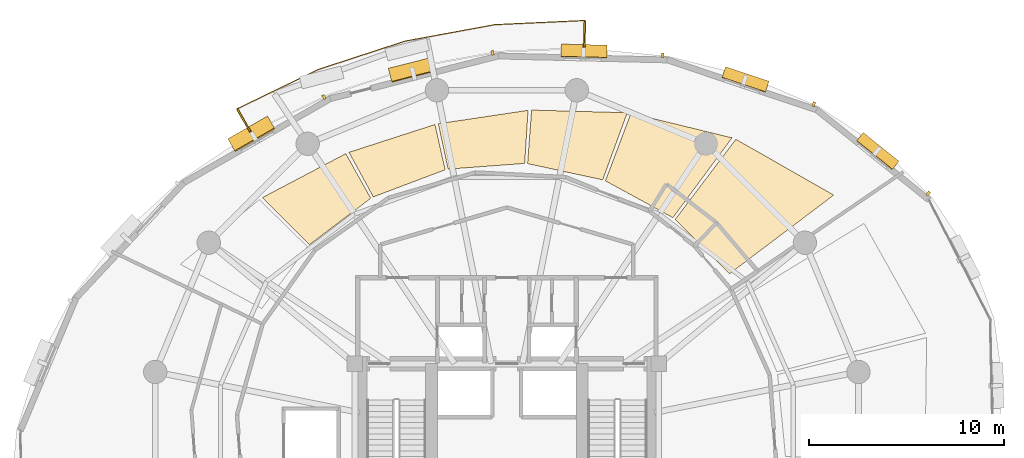
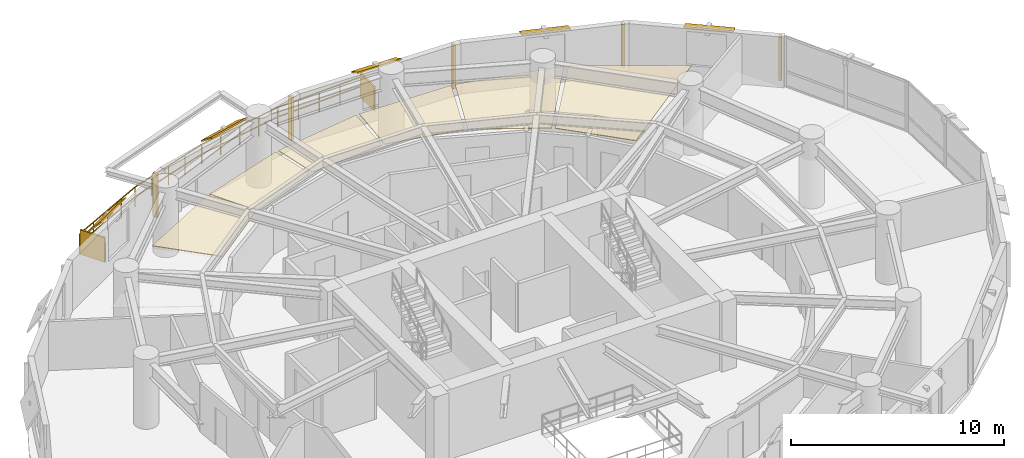
# One storey, part 15 of 15: 12 shading devices, 6 coverings, 1 railing.
"""IFC4 building model written with IfcOpenShell, lengths in metres."""

from ifc_helpers import new_model, si_unit, direction, frame, origin, origin_2d, place, context, subcontext, project, spatial, polyline, rectangle, outline, extrude, material, layer, layer_set, type_object, element, save


model = new_model("IFC4")

# Units and contexts
model_context = context("Model", 3, precision=1e-05, world=origin(), true_north=direction((0.0, 1.0)))
body_context = subcontext(model_context, "Body", "Model", "MODEL_VIEW")
ifc_project = project(units=[si_unit("LENGTHUNIT", "METRE"), si_unit("AREAUNIT", "SQUARE_METRE"), si_unit("VOLUMEUNIT", "CUBIC_METRE"), si_unit("PLANEANGLEUNIT", "RADIAN"), si_unit("MASSUNIT", "GRAM", prefix="KILO"), si_unit("THERMODYNAMICTEMPERATUREUNIT", "KELVIN"), si_unit("POWERUNIT", "WATT")], contexts=[model_context])

# Site, building, storey
site_placement = place(None, origin())
site = spatial("IfcSite", under=ifc_project, at=site_placement, CompositionType="ELEMENT")
building_placement = place(site_placement, origin())
building = spatial("IfcBuilding", under=site, at=building_placement, Name="Ocrelia Relay Tower", CompositionType="ELEMENT")
storey_placement = place(building_placement, frame((0.0, 0.0, 93.800048828125)))
storey = spatial("IfcBuildingStorey", under=building, at=storey_placement, Name="L21", CompositionType="ELEMENT", Elevation=93.800048828125)

# Coverings
ifc_material_1 = material(Name="Cleanroom metal-pan acoustic ceiling", Category="aluminium")
ifc_layer_1 = layer(ifc_material_1, 0.0400390625, Name="Cleanroom metal-pan acoustic ceiling")
ifc_layer_set_1 = layer_set([ifc_layer_1], Name="Cleanroom metal-pan acoustic ceiling")
covering_type = type_object("IfcCoveringType", Name="COV-CEIL-CLEAN", PredefinedType="CEILING", material=ifc_layer_set_1)
covering_1_placement = place(storey_placement, frame((0.0, 0.0, 2.719970703125)))
element("IfcCovering", 1, at=covering_1_placement, inside=storey, type_object=covering_type, Name="L21 Optical Switching Hall A Suspended Ceiling 1", PredefinedType="CEILING", context=body_context, shape_type="SweptSolid", body=[
    extrude(outline(polyline([(45.428955078125, 34.6279296875), (50.778076171875, 38.666015625), (45.75537109375, 41.53125), (42.64208984375, 37.418212890625), (45.428955078125, 34.6279296875)])), origin(), (0.0, 0.0, 1.0), 0.0400390625),
])
covering_2_placement = place(storey_placement, frame((0.0, 0.0, 2.719970703125)))
element("IfcCovering", 2, at=covering_2_placement, inside=storey, type_object=covering_type, Name="L21 Optical Switching Hall A Suspended Ceiling 2", PredefinedType="CEILING", context=body_context, shape_type="SweptSolid", body=[
    extrude(outline(polyline([(42.522216796875, 37.508056640625), (45.55712890625, 41.6064453125), (40.372314453125, 42.8701171875), (39.06005859375, 39.396240234375), (42.522216796875, 37.508056640625)])), origin(), (0.0, 0.0, 1.0), 0.0400390625),
])
covering_3_placement = place(storey_placement, frame((0.0, 0.0, 2.719970703125)))
element("IfcCovering", 3, at=covering_3_placement, inside=storey, type_object=covering_type, Name="L21 Optical Switching Hall A Suspended Ceiling 3", PredefinedType="CEILING", context=body_context, shape_type="SweptSolid", body=[
    extrude(outline(polyline([(38.91943359375, 39.448486328125), (40.179931640625, 42.89404296875), (35.27001953125, 43.03076171875), (35.064697265625, 40.280517578125), (38.91943359375, 39.448486328125)])), origin(), (0.0, 0.0, 1.0), 0.0400390625),
])
covering_4_placement = place(storey_placement, frame((0.0, 0.0, 2.719970703125)))
element("IfcCovering", 4, at=covering_4_placement, inside=storey, type_object=covering_type, Name="L21 Optical Switching Hall A Suspended Ceiling 4", PredefinedType="CEILING", context=body_context, shape_type="SweptSolid", body=[
    extrude(outline(polyline([(34.915283203125, 40.290771484375), (35.08984375, 43.01904296875), (30.47998046875, 42.32958984375), (30.982666015625, 39.99853515625), (34.915283203125, 40.290771484375)])), origin(), (0.0, 0.0, 1.0), 0.0400390625),
])
covering_5_placement = place(storey_placement, frame((0.0, 0.0, 2.719970703125)))
element("IfcCovering", 5, at=covering_5_placement, inside=storey, type_object=covering_type, Name="L21 Optical Switching Hall A Suspended Ceiling 5", PredefinedType="CEILING", context=body_context, shape_type="SweptSolid", body=[
    extrude(outline(polyline([(30.836181640625, 39.966064453125), (30.309814453125, 42.289794921875), (25.89892578125, 40.862548828125), (27.146728515625, 38.573486328125), (30.836181640625, 39.966064453125)])), origin(), (0.0, 0.0, 1.0), 0.0400390625),
])
covering_6_placement = place(storey_placement, frame((0.0, 0.0, 2.719970703125)))
element("IfcCovering", 6, at=covering_6_placement, inside=storey, type_object=covering_type, Name="L21 Optical Switching Hall A Suspended Ceiling 6", PredefinedType="CEILING", context=body_context, shape_type="SweptSolid", body=[
    extrude(outline(polyline([(27.015380859375, 38.501220703125), (25.734375, 40.7939453125), (21.452392578125, 38.5380859375), (23.870361328125, 36.1220703125), (27.015380859375, 38.501220703125)])), origin(), (0.0, 0.0, 1.0), 0.0400390625),
])

# Railing
ifc_material_2 = material(Name="Steel S355 balustrade", Category="steel")
railing_type = type_object("IfcRailingType", Name="RL-EXT-GUARD-1150", PredefinedType="GUARDRAIL", material=ifc_material_2)
railing_placement = place(storey_placement, frame((20.8525390625, 41.887451171875, 0.0)))
element("IfcRailing", 7, at=railing_placement, inside=storey, type_object=railing_type, Name="L21 Loggia Balcony Guard Rail B1", PredefinedType="GUARDRAIL", context=body_context, shape_type="SweptSolid", body=[
    extrude(rectangle(XDim=0.048095703125, YDim=0.048095703125, at=origin_2d()), frame((0.0, 0.0, 1.1259765625), z_axis=(-0.498665339206, 0.866794600511, 0.0), x_axis=(-0.866794600511, -0.498665339206, 0.0)), (0.0, 0.0, 1.0), 1.393310546875),
    extrude(rectangle(XDim=0.048095703125, YDim=0.048095703125, at=origin_2d()), frame((0.0, 0.0, 0.574951171875), z_axis=(-0.498665339206, 0.866794600511, 0.0), x_axis=(-0.866794600511, -0.498665339206, 0.0)), (0.0, 0.0, 1.0), 1.393310546875),
    extrude(rectangle(XDim=0.048095703125, YDim=0.048095703125, at=origin_2d()), frame((-0.69482421875, 1.207763671875, 1.1259765625), z_axis=(0.899780243906, 0.436343342651, 0.0), x_axis=(-0.436343342651, 0.899780243906, 0.0)), (0.0, 0.0, 1.0), 2.31591796875),
    extrude(rectangle(XDim=0.048095703125, YDim=0.048095703125, at=origin_2d()), frame((-0.69482421875, 1.207763671875, 0.574951171875), z_axis=(0.899780243906, 0.436343342651, 0.0), x_axis=(-0.436343342651, 0.899780243906, 0.0)), (0.0, 0.0, 1.0), 2.31591796875),
    extrude(rectangle(XDim=0.048095703125, YDim=0.048095703125, at=origin_2d()), frame((1.388916015625, 2.21826171875, 1.1259765625), z_axis=(0.899780243906, 0.436343342651, 0.0), x_axis=(-0.436343342651, 0.899780243906, 0.0)), (0.0, 0.0, 1.0), 2.31591796875),
    extrude(rectangle(XDim=0.048095703125, YDim=0.048095703125, at=origin_2d()), frame((1.388916015625, 2.21826171875, 0.574951171875), z_axis=(0.899780243906, 0.436343342651, 0.0), x_axis=(-0.436343342651, 0.899780243906, 0.0)), (0.0, 0.0, 1.0), 2.31591796875),
    extrude(rectangle(XDim=0.048095703125, YDim=0.048095703125, at=origin_2d()), frame((3.47265625, 3.228759765625, 1.1259765625), z_axis=(0.950553948728, 0.310559479903, 0.0), x_axis=(-0.310559479903, 0.950553948728, 0.0)), (0.0, 0.0, 1.0), 4.68212890625),
    extrude(rectangle(XDim=0.048095703125, YDim=0.048095703125, at=origin_2d()), frame((3.47265625, 3.228759765625, 0.574951171875), z_axis=(0.950553948728, 0.310559479903, 0.0), x_axis=(-0.310559479903, 0.950553948728, 0.0)), (0.0, 0.0, 1.0), 4.68212890625),
    extrude(rectangle(XDim=0.048095703125, YDim=0.048095703125, at=origin_2d()), frame((7.92333984375, 4.682861328125, 1.1259765625), z_axis=(0.983551325774, 0.180628872467, 0.0), x_axis=(-0.180628872467, 0.983551325774, 0.0)), (0.0, 0.0, 1.0), 4.681884765625),
    extrude(rectangle(XDim=0.048095703125, YDim=0.048095703125, at=origin_2d()), frame((7.92333984375, 4.682861328125, 0.574951171875), z_axis=(0.983551325774, 0.180628872467, 0.0), x_axis=(-0.180628872467, 0.983551325774, 0.0)), (0.0, 0.0, 1.0), 4.681884765625),
    extrude(rectangle(XDim=0.048095703125, YDim=0.048095703125, at=origin_2d()), frame((12.5283203125, 5.528564453125, 1.1259765625), z_axis=(0.99894295004, 0.045967190102, 0.0), x_axis=(-0.045967190102, 0.99894295004, 0.0)), (0.0, 0.0, 1.0), 2.315673828125),
    extrude(rectangle(XDim=0.048095703125, YDim=0.048095703125, at=origin_2d()), frame((12.5283203125, 5.528564453125, 0.574951171875), z_axis=(0.99894295004, 0.045967190102, 0.0), x_axis=(-0.045967190102, 0.99894295004, 0.0)), (0.0, 0.0, 1.0), 2.315673828125),
    extrude(rectangle(XDim=0.048095703125, YDim=0.048095703125, at=origin_2d()), frame((14.841552734375, 5.635009765625, 1.1259765625), z_axis=(0.998948007408, 0.045857153147, 0.0), x_axis=(-0.045857153147, 0.998948007408, 0.0)), (0.0, 0.0, 1.0), 2.31591796875),
    extrude(rectangle(XDim=0.048095703125, YDim=0.048095703125, at=origin_2d()), frame((14.841552734375, 5.635009765625, 0.574951171875), z_axis=(0.998948007408, 0.045857153147, 0.0), x_axis=(-0.045857153147, 0.998948007408, 0.0)), (0.0, 0.0, 1.0), 2.31591796875),
    extrude(rectangle(XDim=0.048095703125, YDim=0.048095703125, at=origin_2d()), frame((17.155029296875, 5.7412109375, 1.1259765625), z_axis=(-0.024528194777, -0.999699138572, 0.0), x_axis=(0.999699138572, -0.024528194777, 0.0)), (0.0, 0.0, 1.0), 1.3935546875),
    extrude(rectangle(XDim=0.048095703125, YDim=0.048095703125, at=origin_2d()), frame((17.155029296875, 5.7412109375, 0.574951171875), z_axis=(-0.024528194777, -0.999699138572, 0.0), x_axis=(0.999699138572, -0.024528194777, 0.0)), (0.0, 0.0, 1.0), 1.3935546875),
    extrude(rectangle(XDim=0.0419921875, YDim=0.0419921875, at=origin_2d()), origin(), (0.0, 0.0, 1.0), 1.101806640625),
    extrude(rectangle(XDim=0.0419921875, YDim=0.0419921875, at=origin_2d()), frame((-0.347412109375, 0.60400390625, 0.0)), (0.0, 0.0, 1.0), 1.101806640625),
    extrude(rectangle(XDim=0.0419921875, YDim=0.0419921875, at=origin_2d()), frame((-0.69482421875, 1.207763671875, 0.0)), (0.0, 0.0, 1.0), 1.101806640625),
    extrude(rectangle(XDim=0.0419921875, YDim=0.0419921875, at=origin_2d()), frame((0.34716796875, 1.712890625, 0.0)), (0.0, 0.0, 1.0), 1.101806640625),
    extrude(rectangle(XDim=0.0419921875, YDim=0.0419921875, at=origin_2d()), frame((1.388916015625, 2.21826171875, 0.0)), (0.0, 0.0, 1.0), 1.101806640625),
    extrude(rectangle(XDim=0.0419921875, YDim=0.0419921875, at=origin_2d()), frame((2.4306640625, 2.7236328125, 0.0)), (0.0, 0.0, 1.0), 1.101806640625),
    extrude(rectangle(XDim=0.0419921875, YDim=0.0419921875, at=origin_2d()), frame((3.47265625, 3.228759765625, 0.0)), (0.0, 0.0, 1.0), 1.101806640625),
    extrude(rectangle(XDim=0.0419921875, YDim=0.0419921875, at=origin_2d()), frame((4.58544921875, 3.59228515625, 0.0)), (0.0, 0.0, 1.0), 1.101806640625),
    extrude(rectangle(XDim=0.0419921875, YDim=0.0419921875, at=origin_2d()), frame((5.697998046875, 3.955810546875, 0.0)), (0.0, 0.0, 1.0), 1.101806640625),
    extrude(rectangle(XDim=0.0419921875, YDim=0.0419921875, at=origin_2d()), frame((6.810546875, 4.3193359375, 0.0)), (0.0, 0.0, 1.0), 1.101806640625),
    extrude(rectangle(XDim=0.0419921875, YDim=0.0419921875, at=origin_2d()), frame((7.92333984375, 4.682861328125, 0.0)), (0.0, 0.0, 1.0), 1.101806640625),
    extrude(rectangle(XDim=0.0419921875, YDim=0.0419921875, at=origin_2d()), frame((9.07470703125, 4.894287109375, 0.0)), (0.0, 0.0, 1.0), 1.101806640625),
    extrude(rectangle(XDim=0.0419921875, YDim=0.0419921875, at=origin_2d()), frame((10.225830078125, 5.105712890625, 0.0)), (0.0, 0.0, 1.0), 1.101806640625),
    extrude(rectangle(XDim=0.0419921875, YDim=0.0419921875, at=origin_2d()), frame((11.376953125, 5.317138671875, 0.0)), (0.0, 0.0, 1.0), 1.101806640625),
    extrude(rectangle(XDim=0.0419921875, YDim=0.0419921875, at=origin_2d()), frame((12.5283203125, 5.528564453125, 0.0)), (0.0, 0.0, 1.0), 1.101806640625),
    extrude(rectangle(XDim=0.0419921875, YDim=0.0419921875, at=origin_2d()), frame((13.68505859375, 5.581787109375, 0.0)), (0.0, 0.0, 1.0), 1.101806640625),
    extrude(rectangle(XDim=0.0419921875, YDim=0.0419921875, at=origin_2d()), frame((14.841552734375, 5.635009765625, 0.0)), (0.0, 0.0, 1.0), 1.101806640625),
    extrude(rectangle(XDim=0.0419921875, YDim=0.0419921875, at=origin_2d()), frame((15.998291015625, 5.68798828125, 0.0)), (0.0, 0.0, 1.0), 1.101806640625),
    extrude(rectangle(XDim=0.0419921875, YDim=0.0419921875, at=origin_2d()), frame((17.155029296875, 5.7412109375, 0.0)), (0.0, 0.0, 1.0), 1.101806640625),
    extrude(rectangle(XDim=0.0419921875, YDim=0.0419921875, at=origin_2d()), frame((17.137939453125, 5.044677734375, 0.0)), (0.0, 0.0, 1.0), 1.101806640625),
    extrude(rectangle(XDim=0.0419921875, YDim=0.0419921875, at=origin_2d()), frame((17.120849609375, 4.34814453125, 0.0)), (0.0, 0.0, 1.0), 1.101806640625),
])

# Shading devices
ifc_material_3 = material(Name="Perforated oxide terracotta solar screen", Category="masonry")
ifc_layer_2 = layer(ifc_material_3, 0.090087890625, Name="Perforated oxide terracotta solar screen")
ifc_layer_set_2 = layer_set([ifc_layer_2], Name="Perforated oxide terracotta solar screen")
shading_device_type_1 = type_object("IfcShadingDeviceType", Name="SH-BALC-SCREEN", PredefinedType="USERDEFINED", material=ifc_layer_set_2)
for number, where, z_axis, x_axis, name in (
    (8, (37.990478515625, 46.93212890625, 0.0), (0.0, 0.0, 1.0), (0.024543932044, 0.999698752325, 0.0), "L21 Balcony Perforated Terracotta Screen B1-1"),
    (9, (20.505126953125, 42.4912109375, 0.0), (0.0, 0.0, 1.0), (-0.498556067607, 0.866857455094, 0.0), "L21 Balcony Perforated Terracotta Screen B1-2"),
):
    element("IfcShadingDevice", number, at=place(storey_placement, frame(where, z_axis=z_axis, x_axis=x_axis)), inside=storey, type_object=shading_device_type_1, Name=name, ObjectType="SCREEN", PredefinedType="USERDEFINED", context=body_context, shape_type="SweptSolid", body=[
        extrude(rectangle(XDim=1.340087890625, YDim=0.090087890625, at=origin_2d()), origin(), (0.0, 0.0, 1.0), 1.39990234375),
    ])
ifc_material_4 = material(Name="Extruded oxide terracotta vertical baguette", Category="masonry")
shading_device_type_2 = type_object("IfcShadingDeviceType", Name="SH-TERR-BAGUETTE", PredefinedType="USERDEFINED", material=ifc_material_4)
for number, where, z_axis, x_axis, name in (
    (10, (55.62255859375, 38.748291015625, 0.199951171875), (0.0, 0.0, 1.0), (-0.780099177476, 0.625655874504, 0.0), "L21 Oxide Terracotta Vertical Baguette 02"),
    (11, (49.751220703125, 43.33251953125, 0.199951171875), (0.0, 0.0, 1.0), (-0.948497838274, 0.316783602462, 0.0), "L21 Oxide Terracotta Vertical Baguette 03"),
    (12, (41.993408203125, 45.838134765625, 0.199951171875), (0.0, 0.0, 1.0), (-0.999734075451, 0.023060320522, 0.0), "L21 Oxide Terracotta Vertical Baguette 04"),
    (13, (33.26806640625, 45.96630859375, 0.199951171875), (0.0, 0.0, 1.0), (-0.969230641448, -0.246154349298, 0.0), "L21 Oxide Terracotta Vertical Baguette 05"),
    (14, (24.617431640625, 43.6943359375, 0.199951171875), (0.0, 0.0, 1.0), (-0.86758249759, -0.497293283562, 0.0), "L21 Oxide Terracotta Vertical Baguette 06"),
):
    element("IfcShadingDevice", number, at=place(storey_placement, frame(where, z_axis=z_axis, x_axis=x_axis)), inside=storey, type_object=shading_device_type_2, Name=name, ObjectType="BAGUETTE", PredefinedType="USERDEFINED", context=body_context, shape_type="SweptSolid", body=[
        extrude(rectangle(XDim=0.139892578125, YDim=0.239990234375, at=origin_2d()), origin(), (0.0, 0.0, 1.0), 2.5),
    ])
ifc_material_5 = material(Name="Extruded oxide terracotta fin", Category="masonry")
ifc_layer_3 = layer(ifc_material_5, 0.080078125, Name="Extruded oxide terracotta fin")
ifc_layer_set_3 = layer_set([ifc_layer_3], Name="Extruded oxide terracotta fin")
shading_device_type_3 = type_object("IfcShadingDeviceType", Name="SH-VISOR-FIN-MED", PredefinedType="USERDEFINED", material=ifc_layer_set_3)
shading_device_1_placement = place(storey_placement, frame((29.155029296875, 45.0771484375, 2.708251953125), z_axis=(-0.149917432458, 0.590298605896, 0.793140794136), x_axis=(-0.969230641448, -0.246154349298, 0.0)))
element("IfcShadingDevice", 15, at=shading_device_1_placement, inside=storey, type_object=shading_device_type_3, Name="L21 Canted Terracotta Sun-Visor Fin 05", ObjectType="FIN", PredefinedType="USERDEFINED", context=body_context, shape_type="SweptSolid", body=[
    extrude(rectangle(XDim=2.35009765625, YDim=0.875, at=origin_2d()), origin(), (0.0, 0.0, 1.0), 0.080078125),
])
shading_device_2_placement = place(storey_placement, frame((20.902587890625, 41.78125, 2.713134765625), z_axis=(-0.370025182484, 0.64554938223, 0.668092328522), x_axis=(-0.86758249759, -0.497293283562, 0.0)))
element("IfcShadingDevice", 16, at=shading_device_2_placement, inside=storey, type_object=shading_device_type_3, Name="L21 Canted Terracotta Sun-Visor Fin 06", ObjectType="FIN", PredefinedType="USERDEFINED", context=body_context, shape_type="SweptSolid", body=[
    extrude(rectangle(XDim=2.35009765625, YDim=1.051025390625, at=origin_2d()), origin(), (0.0, 0.0, 1.0), 0.080078125),
])
ifc_layer_4 = layer(ifc_material_5, 0.080078125, Name="Extruded oxide terracotta fin")
ifc_layer_set_4 = layer_set([ifc_layer_4], Name="Extruded oxide terracotta fin")
shading_device_type_4 = type_object("IfcShadingDeviceType", Name="SH-VISOR-FIN-SHAL", PredefinedType="USERDEFINED", material=ifc_layer_set_4)
shading_device_3_placement = place(storey_placement, frame((53.02734375, 40.9140625, 2.7021484375), z_axis=(0.199765741405, 0.249077962676, 0.947657014468), x_axis=(-0.780099177476, 0.625655874504, 0.0)))
element("IfcShadingDevice", 17, at=shading_device_3_placement, inside=storey, type_object=shading_device_type_4, Name="L21 Canted Terracotta Sun-Visor Fin 02", ObjectType="FIN", PredefinedType="USERDEFINED", context=body_context, shape_type="SweptSolid", body=[
    extrude(rectangle(XDim=2.35009765625, YDim=0.56005859375, at=origin_2d()), origin(), (0.0, 0.0, 1.0), 0.080078125),
])
shading_device_4_placement = place(storey_placement, frame((46.244140625, 44.58251953125, 2.70263671875), z_axis=(0.116410167276, 0.348549581343, 0.930033258707), x_axis=(-0.948497838274, 0.316783602462, 0.0)))
element("IfcShadingDevice", 18, at=shading_device_4_placement, inside=storey, type_object=shading_device_type_4, Name="L21 Canted Terracotta Sun-Visor Fin 03", ObjectType="FIN", PredefinedType="USERDEFINED", context=body_context, shape_type="SweptSolid", body=[
    extrude(rectangle(XDim=2.35009765625, YDim=0.60888671875, at=origin_2d()), origin(), (0.0, 0.0, 1.0), 0.080078125),
])
shading_device_5_placement = place(storey_placement, frame((37.9619140625, 46.036865234375, 2.70458984375), z_axis=(0.010765704684, 0.466725595096, 0.884336654496), x_axis=(-0.999734075451, 0.023060320522, 0.0)))
element("IfcShadingDevice", 19, at=shading_device_5_placement, inside=storey, type_object=shading_device_type_4, Name="L21 Canted Terracotta Sun-Visor Fin 04", ObjectType="FIN", PredefinedType="USERDEFINED", context=body_context, shape_type="SweptSolid", body=[
    extrude(rectangle(XDim=2.35009765625, YDim=0.714111328125, at=origin_2d()), origin(), (0.0, 0.0, 1.0), 0.080078125),
])

save(model, "model.ifc")
